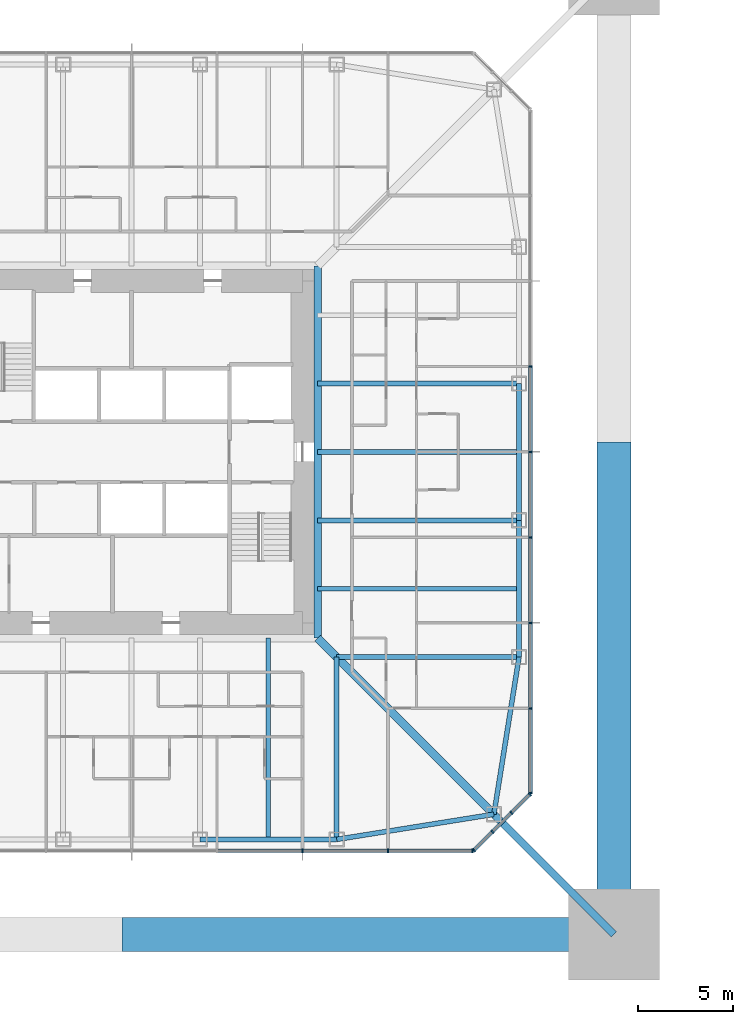
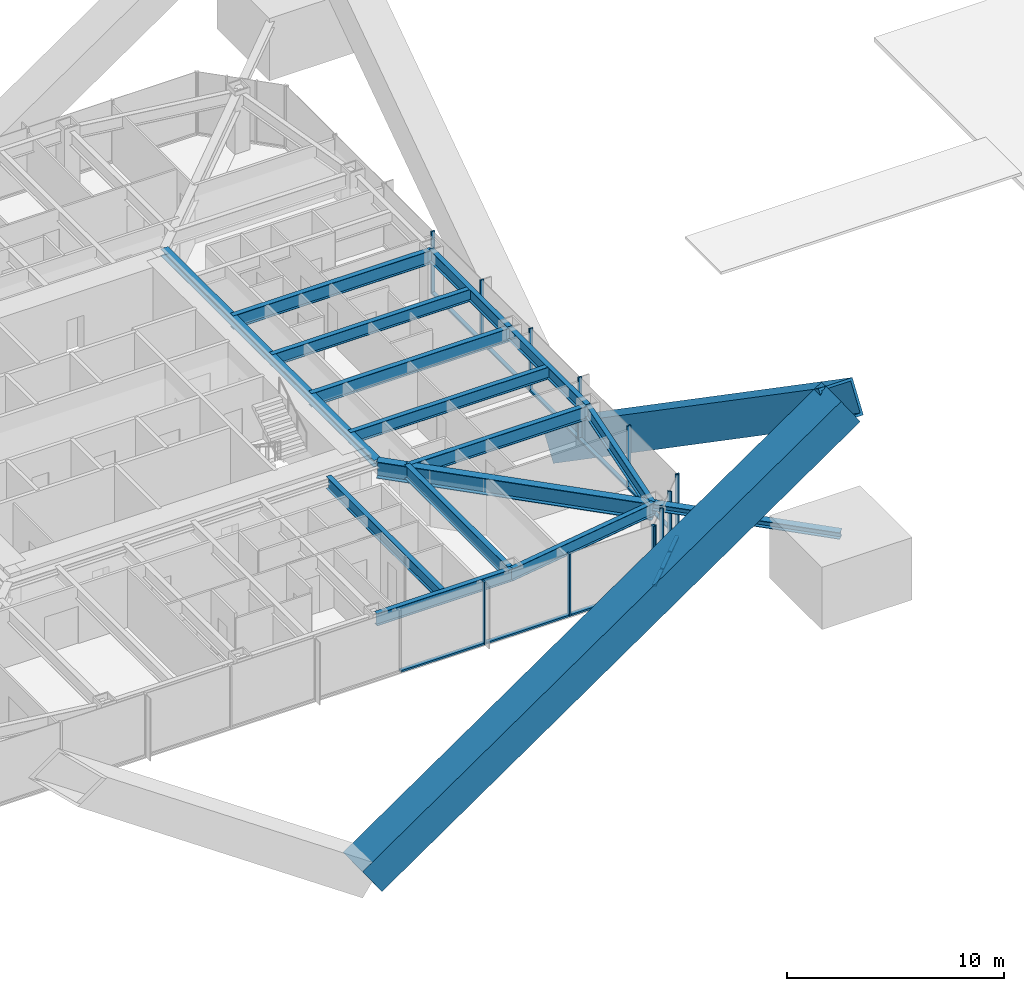
# One storey, part 4 of 17: 27 members, 14 beams, 3 elements without a shape of their own.
"""IFC4 building model written with IfcOpenShell, lengths in metres."""

from ifc_helpers import new_model, si_unit, direction, frame, origin, origin_2d, place, context, subcontext, project, spatial, rectangle, hollow_rectangle, i_section, extrude, material, material_profile, profile_set, type_object, element, aggregate, save


model = new_model("IFC4")

# Units and contexts
model_context = context("Model", 3, precision=1e-05, world=origin(), true_north=direction((0.0, 1.0)))
body_context = subcontext(model_context, "Body", "Model", "MODEL_VIEW")
ifc_project = project(units=[si_unit("LENGTHUNIT", "METRE"), si_unit("AREAUNIT", "SQUARE_METRE"), si_unit("VOLUMEUNIT", "CUBIC_METRE"), si_unit("PLANEANGLEUNIT", "RADIAN"), si_unit("MASSUNIT", "GRAM", prefix="KILO")], contexts=[model_context])

# Site, building, storey
site_placement = place(None, origin())
site = spatial("IfcSite", under=ifc_project, at=site_placement, CompositionType="ELEMENT")
building_placement = place(site_placement, origin())
building = spatial("IfcBuilding", under=site, at=building_placement, Name="Iwan Alto Co-Living Towers", CompositionType="ELEMENT")
storey_placement = place(building_placement, frame((0.0, 0.0, 133.0)))
storey = spatial("IfcBuildingStorey", under=building, at=storey_placement, Name="L36", CompositionType="ELEMENT", Elevation=133.0)

# Curtain wall, members
ifc_material_1 = material(Name="Bronze aluminium unitised frame", Category="aluminium")
curtain_wall_type_1 = type_object("IfcCurtainWallType", Name="CURTAIN WALL CW-A", PredefinedType="NOTDEFINED", material=ifc_material_1)
curtain_wall_1_placement = place(storey_placement, origin())
curtain_wall_1 = element("IfcCurtainWall", 1, at=curtain_wall_1_placement, inside=storey, type_object=curtain_wall_type_1, Name="T1 curtain wall S L36", PredefinedType="NOTDEFINED")
ifc_material_2 = material(Name="Aluminium 6063-T6 bronze anodised", Category="aluminium")
ifc_material_profile_1 = material_profile(ifc_material_2, rectangle(XDim=0.199951171875, YDim=0.080078125, at=origin_2d()), Name="AL 80X200")
ifc_profile_set_1 = profile_set([ifc_material_profile_1], Name="Aluminium 6063-T6 bronze anodised")
member_type_1 = type_object("IfcMemberType", Name="CW-A MULLION 80X200", PredefinedType="MULLION", material=ifc_profile_set_1)
member_1_placement = place(storey_placement, frame((9.0, -21.0, 0.0), z_axis=(0.0, 0.0, 1.0), x_axis=(0.0, 1.0, 0.0)))
member_1 = element("IfcMember", 2, at=member_1_placement, type_object=member_type_1, Name="CW-A mullion 7", PredefinedType="MULLION", context=body_context, shape_type="SweptSolid", body=[
    extrude(rectangle(XDim=0.199951171875, YDim=0.080078125, at=origin_2d()), origin(), (0.0, 0.0, 1.0), 3.5),
])
member_2_placement = place(storey_placement, frame((13.5, -21.0, 0.0), z_axis=(0.0, 0.0, 1.0), x_axis=(0.0, 1.0, 0.0)))
member_2 = element("IfcMember", 3, at=member_2_placement, type_object=member_type_1, Name="CW-A mullion 8", PredefinedType="MULLION", context=body_context, shape_type="SweptSolid", body=[
    extrude(rectangle(XDim=0.199951171875, YDim=0.080078125, at=origin_2d()), origin(), (0.0, 0.0, 1.0), 3.5),
])
member_3_placement = place(storey_placement, frame((17.9599609375, -21.0, 0.0), z_axis=(0.0, 0.0, 1.0), x_axis=(0.0, 1.0, 0.0)))
member_3 = element("IfcMember", 4, at=member_3_placement, type_object=member_type_1, Name="CW-A mullion 9", PredefinedType="MULLION", context=body_context, shape_type="SweptSolid", body=[
    extrude(rectangle(XDim=0.199951171875, YDim=0.080078125, at=origin_2d()), origin(), (0.0, 0.0, 1.0), 3.5),
])

curtain_wall_2_placement = place(storey_placement, origin())
curtain_wall_2 = element("IfcCurtainWall", 5, at=curtain_wall_2_placement, inside=storey, type_object=curtain_wall_type_1, Name="T1 curtain wall E L36", PredefinedType="NOTDEFINED")
member_4_placement = place(storey_placement, frame((21.0, -17.9599609375, 0.0), z_axis=(0.0, 0.0, 1.0), x_axis=(-1.0, 0.0, 0.0)))
member_4 = element("IfcMember", 6, at=member_4_placement, type_object=member_type_1, Name="CW-A mullion 1", PredefinedType="MULLION", context=body_context, shape_type="SweptSolid", body=[
    extrude(rectangle(XDim=0.199951171875, YDim=0.080078125, at=origin_2d()), origin(), (0.0, 0.0, 1.0), 3.5),
])
member_5_placement = place(storey_placement, frame((21.0, -13.5, 0.0), z_axis=(0.0, 0.0, 1.0), x_axis=(-1.0, 0.0, 0.0)))
member_5 = element("IfcMember", 7, at=member_5_placement, type_object=member_type_1, Name="CW-A mullion 2", PredefinedType="MULLION", context=body_context, shape_type="SweptSolid", body=[
    extrude(rectangle(XDim=0.199951171875, YDim=0.080078125, at=origin_2d()), origin(), (0.0, 0.0, 1.0), 3.5),
])
member_6_placement = place(storey_placement, frame((21.0, -9.0, 0.0), z_axis=(0.0, 0.0, 1.0), x_axis=(-1.0, 0.0, 0.0)))
member_6 = element("IfcMember", 8, at=member_6_placement, type_object=member_type_1, Name="CW-A mullion 3", PredefinedType="MULLION", context=body_context, shape_type="SweptSolid", body=[
    extrude(rectangle(XDim=0.199951171875, YDim=0.080078125, at=origin_2d()), origin(), (0.0, 0.0, 1.0), 3.5),
])
member_7_placement = place(storey_placement, frame((21.0, -4.5, 0.0), z_axis=(0.0, 0.0, 1.0), x_axis=(-1.0, 0.0, 0.0)))
member_7 = element("IfcMember", 9, at=member_7_placement, type_object=member_type_1, Name="CW-A mullion 4", PredefinedType="MULLION", context=body_context, shape_type="SweptSolid", body=[
    extrude(rectangle(XDim=0.199951171875, YDim=0.080078125, at=origin_2d()), origin(), (0.0, 0.0, 1.0), 3.5),
])
member_8_placement = place(storey_placement, frame((21.0, 0.0, 0.0), z_axis=(0.0, 0.0, 1.0), x_axis=(-1.0, 0.0, 0.0)))
member_8 = element("IfcMember", 10, at=member_8_placement, type_object=member_type_1, Name="CW-A mullion 5", PredefinedType="MULLION", context=body_context, shape_type="SweptSolid", body=[
    extrude(rectangle(XDim=0.199951171875, YDim=0.080078125, at=origin_2d()), origin(), (0.0, 0.0, 1.0), 3.5),
])
member_9_placement = place(storey_placement, frame((21.0, 4.5, 0.0), z_axis=(0.0, 0.0, 1.0), x_axis=(-1.0, 0.0, 0.0)))
member_9 = element("IfcMember", 11, at=member_9_placement, type_object=member_type_1, Name="CW-A mullion 6", PredefinedType="MULLION", context=body_context, shape_type="SweptSolid", body=[
    extrude(rectangle(XDim=0.199951171875, YDim=0.080078125, at=origin_2d()), origin(), (0.0, 0.0, 1.0), 3.5),
])

# Member
ifc_material_3 = material(Name="Aluminium 6063-T6 bronze anodised", Category="aluminium")
ifc_material_profile_2 = material_profile(ifc_material_3, rectangle(XDim=0.199951171875, YDim=0.10009765625, at=origin_2d()), Name="AL 200X100")
ifc_profile_set_2 = profile_set([ifc_material_profile_2], Name="Aluminium 6063-T6 bronze anodised")
member_type_2 = type_object("IfcMemberType", Name="CW-A TRANSOM 200X100", PredefinedType="USERDEFINED", material=ifc_profile_set_2)
member_10_placement = place(storey_placement, frame((4.5400390625, -21.0, 0.050048828125), z_axis=(1.0, 0.0, 0.0), x_axis=(0.0, 1.0, 0.0)))
member_10 = element("IfcMember", 12, at=member_10_placement, type_object=member_type_2, Name="CW-A transom 6.1", ObjectType="TRANSOM", PredefinedType="USERDEFINED", context=body_context, shape_type="SweptSolid", body=[
    extrude(rectangle(XDim=0.199951171875, YDim=0.10009765625, at=origin_2d()), origin(), (0.0, 0.0, 1.0), 4.419921875),
])

member_11_placement = place(storey_placement, frame((9.0400390625, -21.0, 0.050048828125), z_axis=(1.0, 0.0, 0.0), x_axis=(0.0, 1.0, 0.0)))
member_11 = element("IfcMember", 13, at=member_11_placement, type_object=member_type_2, Name="CW-A transom 7.1", ObjectType="TRANSOM", PredefinedType="USERDEFINED", context=body_context, shape_type="SweptSolid", body=[
    extrude(rectangle(XDim=0.199951171875, YDim=0.10009765625, at=origin_2d()), origin(), (0.0, 0.0, 1.0), 4.419921875),
])

member_12_placement = place(storey_placement, frame((13.5400390625, -21.0, 0.050048828125), z_axis=(1.0, 0.0, 0.0), x_axis=(0.0, 1.0, 0.0)))
member_12 = element("IfcMember", 14, at=member_12_placement, type_object=member_type_2, Name="CW-A transom 8.1", ObjectType="TRANSOM", PredefinedType="USERDEFINED", context=body_context, shape_type="SweptSolid", body=[
    extrude(rectangle(XDim=0.199951171875, YDim=0.10009765625, at=origin_2d()), origin(), (0.0, 0.0, 1.0), 4.3798828125),
])

aggregate(curtain_wall_1, [member_1, member_2, member_3, member_10, member_11, member_12])

member_13_placement = place(storey_placement, frame((21.0, -17.919921875, 0.050048828125), z_axis=(0.0, 1.0, 0.0), x_axis=(-1.0, 0.0, 0.0)))
member_13 = element("IfcMember", 15, at=member_13_placement, type_object=member_type_2, Name="CW-A transom 1.1", ObjectType="TRANSOM", PredefinedType="USERDEFINED", context=body_context, shape_type="SweptSolid", body=[
    extrude(rectangle(XDim=0.199951171875, YDim=0.10009765625, at=origin_2d()), origin(), (0.0, 0.0, 1.0), 4.3798828125),
])

member_14_placement = place(storey_placement, frame((21.0, -13.4599609375, 0.050048828125), z_axis=(0.0, 1.0, 0.0), x_axis=(-1.0, 0.0, 0.0)))
member_14 = element("IfcMember", 16, at=member_14_placement, type_object=member_type_2, Name="CW-A transom 2.1", ObjectType="TRANSOM", PredefinedType="USERDEFINED", context=body_context, shape_type="SweptSolid", body=[
    extrude(rectangle(XDim=0.199951171875, YDim=0.10009765625, at=origin_2d()), origin(), (0.0, 0.0, 1.0), 4.419921875),
])

member_15_placement = place(storey_placement, frame((21.0, -8.9599609375, 0.050048828125), z_axis=(0.0, 1.0, 0.0), x_axis=(-1.0, 0.0, 0.0)))
member_15 = element("IfcMember", 17, at=member_15_placement, type_object=member_type_2, Name="CW-A transom 3.1", ObjectType="TRANSOM", PredefinedType="USERDEFINED", context=body_context, shape_type="SweptSolid", body=[
    extrude(rectangle(XDim=0.199951171875, YDim=0.10009765625, at=origin_2d()), origin(), (0.0, 0.0, 1.0), 4.419921875),
])

member_16_placement = place(storey_placement, frame((21.0, -4.4599609375, 0.050048828125), z_axis=(0.0, 1.0, 0.0), x_axis=(-1.0, 0.0, 0.0)))
member_16 = element("IfcMember", 18, at=member_16_placement, type_object=member_type_2, Name="CW-A transom 4.1", ObjectType="TRANSOM", PredefinedType="USERDEFINED", context=body_context, shape_type="SweptSolid", body=[
    extrude(rectangle(XDim=0.199951171875, YDim=0.10009765625, at=origin_2d()), origin(), (0.0, 0.0, 1.0), 4.419921875),
])

member_17_placement = place(storey_placement, frame((21.0, 0.0400390625, 0.050048828125), z_axis=(0.0, 1.0, 0.0), x_axis=(-1.0, 0.0, 0.0)))
member_17 = element("IfcMember", 19, at=member_17_placement, type_object=member_type_2, Name="CW-A transom 5.1", ObjectType="TRANSOM", PredefinedType="USERDEFINED", context=body_context, shape_type="SweptSolid", body=[
    extrude(rectangle(XDim=0.199951171875, YDim=0.10009765625, at=origin_2d()), origin(), (0.0, 0.0, 1.0), 4.419921875),
])

aggregate(curtain_wall_2, [member_4, member_5, member_6, member_7, member_8, member_9, member_13, member_14, member_15, member_16, member_17])

# Curtain wall, members
ifc_material_4 = material(Name="Bronze aluminium unitised frame", Category="aluminium")
curtain_wall_type_2 = type_object("IfcCurtainWallType", Name="CURTAIN WALL CW-B", PredefinedType="NOTDEFINED", material=ifc_material_4)
curtain_wall_3_placement = place(storey_placement, origin())
curtain_wall_3 = element("IfcCurtainWall", 20, at=curtain_wall_3_placement, inside=storey, type_object=curtain_wall_type_2, Name="T1 chamfer curtain wall SE L36", PredefinedType="NOTDEFINED")
ifc_material_5 = material(Name="Aluminium 6063-T6 bronze anodised", Category="aluminium")
ifc_material_profile_3 = material_profile(ifc_material_5, rectangle(XDim=0.199951171875, YDim=0.080078125, at=origin_2d()), Name="AL 80X200")
ifc_profile_set_3 = profile_set([ifc_material_profile_3], Name="Aluminium 6063-T6 bronze anodised")
member_type_3 = type_object("IfcMemberType", Name="CW-B MULLION 80X200", PredefinedType="MULLION", material=ifc_profile_set_3)
member_18_placement = place(storey_placement, frame((18.0283203125, -20.9716796875, 0.0), z_axis=(0.0, 0.0, 1.0), x_axis=(-0.707106781187, 0.707106781187, 0.0)))
member_18 = element("IfcMember", 21, at=member_18_placement, type_object=member_type_3, Name="CW-B mullion 1", PredefinedType="MULLION", context=body_context, shape_type="SweptSolid", body=[
    extrude(rectangle(XDim=0.199951171875, YDim=0.080078125, at=origin_2d()), origin(), (0.0, 0.0, 1.0), 3.5),
])
member_19_placement = place(storey_placement, frame((19.0, -20.0, 0.0), z_axis=(0.0, 0.0, 1.0), x_axis=(-0.707106781187, 0.707106781187, 0.0)))
member_19 = element("IfcMember", 22, at=member_19_placement, type_object=member_type_3, Name="CW-B mullion 2", PredefinedType="MULLION", context=body_context, shape_type="SweptSolid", body=[
    extrude(rectangle(XDim=0.199951171875, YDim=0.080078125, at=origin_2d()), origin(), (0.0, 0.0, 1.0), 3.5),
])
member_20_placement = place(storey_placement, frame((20.0, -19.0, 0.0), z_axis=(0.0, 0.0, 1.0), x_axis=(-0.707106781187, 0.707106781187, 0.0)))
member_20 = element("IfcMember", 23, at=member_20_placement, type_object=member_type_3, Name="CW-B mullion 3", PredefinedType="MULLION", context=body_context, shape_type="SweptSolid", body=[
    extrude(rectangle(XDim=0.199951171875, YDim=0.080078125, at=origin_2d()), origin(), (0.0, 0.0, 1.0), 3.5),
])
member_21_placement = place(storey_placement, frame((20.9716796875, -18.0283203125, 0.0), z_axis=(0.0, 0.0, 1.0), x_axis=(-0.707106781187, 0.707106781187, 0.0)))
member_21 = element("IfcMember", 24, at=member_21_placement, type_object=member_type_3, Name="CW-B mullion 4", PredefinedType="MULLION", context=body_context, shape_type="SweptSolid", body=[
    extrude(rectangle(XDim=0.199951171875, YDim=0.080078125, at=origin_2d()), origin(), (0.0, 0.0, 1.0), 3.5),
])
ifc_material_6 = material(Name="Aluminium 6063-T6 bronze anodised", Category="aluminium")
ifc_material_profile_4 = material_profile(ifc_material_6, rectangle(XDim=0.199951171875, YDim=0.10009765625, at=origin_2d()), Name="AL 200X100")
ifc_profile_set_4 = profile_set([ifc_material_profile_4], Name="Aluminium 6063-T6 bronze anodised")
member_type_4 = type_object("IfcMemberType", Name="CW-B TRANSOM 200X100", PredefinedType="USERDEFINED", material=ifc_profile_set_4)
member_22_placement = place(storey_placement, frame((18.056640625, -20.943359375, 0.050048828125), z_axis=(0.707106781187, 0.707106781187, 0.0), x_axis=(-0.707106781187, 0.707106781187, 0.0)))
member_22 = element("IfcMember", 25, at=member_22_placement, type_object=member_type_4, Name="CW-B transom 1.1", ObjectType="TRANSOM", PredefinedType="USERDEFINED", context=body_context, shape_type="SweptSolid", body=[
    extrude(rectangle(XDim=0.199951171875, YDim=0.10009765625, at=origin_2d()), origin(), (0.0, 0.0, 1.0), 1.2939453125),
])
member_23_placement = place(storey_placement, frame((19.0283203125, -19.9716796875, 0.050048828125), z_axis=(0.707106781187, 0.707106781187, 0.0), x_axis=(-0.707106781187, 0.707106781187, 0.0)))
member_23 = element("IfcMember", 26, at=member_23_placement, type_object=member_type_4, Name="CW-B transom 2.1", ObjectType="TRANSOM", PredefinedType="USERDEFINED", context=body_context, shape_type="SweptSolid", body=[
    extrude(rectangle(XDim=0.199951171875, YDim=0.10009765625, at=origin_2d()), origin(), (0.0, 0.0, 1.0), 1.334228515625),
])
member_24_placement = place(storey_placement, frame((20.0283203125, -18.9716796875, 0.050048828125), z_axis=(0.707106781187, 0.707106781187, 0.0), x_axis=(-0.707106781187, 0.707106781187, 0.0)))
member_24 = element("IfcMember", 27, at=member_24_placement, type_object=member_type_4, Name="CW-B transom 3.1", ObjectType="TRANSOM", PredefinedType="USERDEFINED", context=body_context, shape_type="SweptSolid", body=[
    extrude(rectangle(XDim=0.199951171875, YDim=0.10009765625, at=origin_2d()), origin(), (0.0, 0.0, 1.0), 1.2939453125),
])
aggregate(curtain_wall_3, [member_18, member_19, member_20, member_21, member_22, member_23, member_24])

# Beams
ifc_material_7 = material(Name="Steel ASTM A992 Gr 50", Category="steel")
ifc_material_profile_5 = material_profile(ifc_material_7, i_section(OverallWidth=0.398681640625, OverallDepth=0.385986328125, WebThickness=0.02099609375, FlangeThickness=0.033203125, at=origin_2d()), Name="W14X176")
ifc_profile_set_5 = profile_set([ifc_material_profile_5], Name="Steel ASTM A992 Gr 50")
beam_type_1 = type_object("IfcBeamType", Name="T1 CORE LEDGER BEAM W14X176", PredefinedType="BEAM", material=ifc_profile_set_5)
beam_1_placement = place(storey_placement, frame((9.79931640625, -9.79931640625, 3.076904296875), z_axis=(0.0, 1.0, 0.0), x_axis=(-1.0, 0.0, 0.0)))
element("IfcBeam", 28, at=beam_1_placement, inside=storey, type_object=beam_type_1, Name="T1 core ledger beam E L37", PredefinedType="BEAM", context=body_context, shape_type="SweptSolid", body=[
    extrude(i_section(OverallWidth=0.398681640625, OverallDepth=0.385986328125, WebThickness=0.02099609375, FlangeThickness=0.033203125, at=origin_2d()), origin(), (0.0, 0.0, 1.0), 19.5986328125),
])
ifc_material_8 = material(Name="Steel ASTM A992 Gr 50", Category="steel")
ifc_material_profile_6 = material_profile(ifc_material_8, i_section(OverallWidth=0.419189453125, OverallDepth=0.927001953125, WebThickness=0.019287109375, FlangeThickness=0.031982421875, at=origin_2d()), Name="W36X231")
ifc_profile_set_6 = profile_set([ifc_material_profile_6], Name="Steel ASTM A992 Gr 50")
beam_type_2 = type_object("IfcBeamType", Name="T1 CORNER GIRDER W36X231", PredefinedType="BEAM", material=ifc_profile_set_6)
beam_2_placement = place(storey_placement, frame((19.07568359375, -19.07568359375, 2.806396484375), z_axis=(-0.707106781187, 0.707106781187, 0.0), x_axis=(-0.707106781187, -0.707106781187, 0.0)))
element("IfcBeam", 29, at=beam_2_placement, inside=storey, type_object=beam_type_2, Name="T1 corner girder CSE L37", PredefinedType="BEAM", context=body_context, shape_type="SweptSolid", body=[
    extrude(i_section(OverallWidth=0.419189453125, OverallDepth=0.927001953125, WebThickness=0.019287109375, FlangeThickness=0.031982421875, at=origin_2d()), origin(), (0.0, 0.0, 1.0), 13.11865234375),
])
ifc_material_9 = material(Name="Steel ASTM A992 Gr 50", Category="steel")
ifc_material_profile_7 = material_profile(ifc_material_9, i_section(OverallWidth=0.25390625, OverallDepth=0.683349609375, WebThickness=0.012451171875, FlangeThickness=0.018798828125, at=origin_2d()), Name="W27X94")
ifc_profile_set_7 = profile_set([ifc_material_profile_7], Name="Steel ASTM A992 Gr 50")
beam_type_3 = type_object("IfcBeamType", Name="T1 EDGE BEAM W27X94", PredefinedType="BEAM", material=ifc_profile_set_7)
beam_3_placement = place(storey_placement, frame((3.60009765625, -20.39990234375, 2.928466796875), z_axis=(1.0, 0.0, 0.0), x_axis=(0.0, 1.0, 0.0)))
element("IfcBeam", 30, at=beam_3_placement, inside=storey, type_object=beam_type_3, Name="T1 edge beam S3 L37", PredefinedType="BEAM", context=body_context, shape_type="SweptSolid", body=[
    extrude(i_section(OverallWidth=0.25390625, OverallDepth=0.683349609375, WebThickness=0.012451171875, FlangeThickness=0.018798828125, at=origin_2d()), origin(), (0.0, 0.0, 1.0), 7.199951171875),
])
for number, where, z_axis, x_axis, name in (
    (31, (10.800048828125, -20.39990234375, 2.928466796875), (0.987438450439, 0.158004134737, 0.0), (-0.158004134737, 0.987438450439, 0.0), "T1 edge beam S4 L37"),
    (32, (19.07568359375, -19.07568359375, 2.928466796875), (0.158004134737, 0.987438450439, 0.0), (-0.987438450439, 0.158004134737, 0.0), "T1 edge beam CSE L37"),
):
    element("IfcBeam", number, at=place(storey_placement, frame(where, z_axis=z_axis, x_axis=x_axis)), inside=storey, type_object=beam_type_3, Name=name, PredefinedType="BEAM", context=body_context, shape_type="SweptSolid", body=[
        extrude(i_section(OverallWidth=0.25390625, OverallDepth=0.683349609375, WebThickness=0.012451171875, FlangeThickness=0.018798828125, at=origin_2d()), origin(), (0.0, 0.0, 1.0), 8.380859375),
    ])
beam_4_placement = place(storey_placement, frame((20.39990234375, -10.800048828125, 2.928466796875), z_axis=(0.0, 1.0, 0.0), x_axis=(-1.0, 0.0, 0.0)))
element("IfcBeam", 33, at=beam_4_placement, inside=storey, type_object=beam_type_3, Name="T1 edge beam E1 L37", PredefinedType="BEAM", context=body_context, shape_type="SweptSolid", body=[
    extrude(i_section(OverallWidth=0.25390625, OverallDepth=0.683349609375, WebThickness=0.012451171875, FlangeThickness=0.018798828125, at=origin_2d()), origin(), (0.0, 0.0, 1.0), 7.199951171875),
])
beam_5_placement = place(storey_placement, frame((20.39990234375, -3.60009765625, 2.928466796875), z_axis=(0.0, 1.0, 0.0), x_axis=(-1.0, 0.0, 0.0)))
element("IfcBeam", 34, at=beam_5_placement, inside=storey, type_object=beam_type_3, Name="T1 edge beam E2 L37", PredefinedType="BEAM", context=body_context, shape_type="SweptSolid", body=[
    extrude(i_section(OverallWidth=0.25390625, OverallDepth=0.683349609375, WebThickness=0.012451171875, FlangeThickness=0.018798828125, at=origin_2d()), origin(), (0.0, 0.0, 1.0), 7.2001953125),
])

# Members
ifc_material_10 = material(Name="Steel ASTM A572 Gr 42", Category="steel")
ifc_material_profile_8 = material_profile(ifc_material_10, hollow_rectangle(XDim=1.800048828125, YDim=1.800048828125, WallThickness=0.1298828125, at=origin_2d()), Name="BOX 1800X1800X130")
ifc_profile_set_8 = profile_set([ifc_material_profile_8], Name="Steel ASTM A572 Gr 42")
member_type_5 = type_object("IfcMemberType", Name="T1 MEGA BRACE BOX 1800X1800X130", PredefinedType="BRACE", material=ifc_profile_set_8)
for number, where, z_axis, x_axis, name in (
    (35, (0.0, -25.39990234375, -7.0), (0.82347292246, 0.0, 0.56735557279), (0.0, 1.0, 0.0), "T1 mega brace Z2B S 1 upper"),
    (36, (25.39990234375, 0.0, -7.0), (0.0, -0.82347292246, 0.56735557279), (1.0, 0.0, 0.0), "T1 mega brace Z2B E 2 upper"),
):
    element("IfcMember", number, at=place(storey_placement, frame(where, z_axis=z_axis, x_axis=x_axis)), inside=storey, type_object=member_type_5, Name=name, PredefinedType="BRACE", context=body_context, shape_type="SweptSolid", body=[
        extrude(hollow_rectangle(XDim=1.800048828125, YDim=1.800048828125, WallThickness=0.1298828125, at=origin_2d()), origin(), (0.0, 0.0, 1.0), 30.844970703125),
    ])
ifc_material_11 = material(Name="Steel ASTM A992 Gr 50", Category="steel")
ifc_material_profile_9 = material_profile(ifc_material_11, i_section(OverallWidth=0.393798828125, OverallDepth=0.3759765625, WebThickness=0.017333984375, FlangeThickness=0.027587890625, at=origin_2d()), Name="W14X145")
ifc_profile_set_9 = profile_set([ifc_material_profile_9], Name="Steel ASTM A992 Gr 50")
member_type_6 = type_object("IfcMemberType", Name="T1 MEGA COLUMN FLOOR TIE W14X145", PredefinedType="STRUT", material=ifc_profile_set_9)
member_25_placement = place(storey_placement, frame((25.39990234375, -25.39990234375, 3.08203125), z_axis=(-0.707106781187, 0.707106781187, 0.0), x_axis=(-0.707106781187, -0.707106781187, 0.0)))
element("IfcMember", 37, at=member_25_placement, inside=storey, type_object=member_type_6, Name="T1 mega column floor tie SE L37", PredefinedType="STRUT", context=body_context, shape_type="SweptSolid", body=[
    extrude(i_section(OverallWidth=0.393798828125, OverallDepth=0.3759765625, WebThickness=0.017333984375, FlangeThickness=0.027587890625, at=origin_2d()), origin(), (0.0, 0.0, 1.0), 8.94384765625),
])

# Beams
ifc_material_12 = material(Name="Steel ASTM A992 Gr 50", Category="steel")
ifc_material_profile_10 = material_profile(ifc_material_12, i_section(OverallWidth=0.2666015625, OverallDepth=0.761962890625, WebThickness=0.014404296875, FlangeThickness=0.021484375, at=origin_2d()), Name="W30X116")
ifc_profile_set_10 = profile_set([ifc_material_profile_10], Name="Steel ASTM A992 Gr 50")
beam_type_4 = type_object("IfcBeamType", Name="T1 RADIAL BEAM W30X116", PredefinedType="BEAM", material=ifc_profile_set_10)
for number, where, z_axis, x_axis, name in (
    (38, (10.800048828125, -20.39990234375, 2.888916015625), (0.0, 1.0, 0.0), (-1.0, 0.0, 0.0), "T1 radial beam S4 L37"),
    (39, (20.39990234375, -10.800048828125, 2.888916015625), (-1.0, 0.0, 0.0), (0.0, -1.0, 0.0), "T1 radial beam E1 L37"),
):
    element("IfcBeam", number, at=place(storey_placement, frame(where, z_axis=z_axis, x_axis=x_axis)), inside=storey, type_object=beam_type_4, Name=name, PredefinedType="BEAM", context=body_context, shape_type="SweptSolid", body=[
        extrude(i_section(OverallWidth=0.2666015625, OverallDepth=0.761962890625, WebThickness=0.014404296875, FlangeThickness=0.021484375, at=origin_2d()), origin(), (0.0, 0.0, 1.0), 9.599853515625),
    ])
for number, where, z_axis, x_axis, name in (
    (40, (20.39990234375, -3.60009765625, 2.888916015625), (-1.0, 0.0, 0.0), (0.0, -1.0, 0.0), "T1 radial beam E2 L37"),
    (41, (20.39990234375, 3.60009765625, 2.888916015625), (-1.0, 0.0, 0.0), (0.0, -1.0, 0.0), "T1 radial beam E3 L37"),
):
    element("IfcBeam", number, at=place(storey_placement, frame(where, z_axis=z_axis, x_axis=x_axis)), inside=storey, type_object=beam_type_4, Name=name, PredefinedType="BEAM", context=body_context, shape_type="SweptSolid", body=[
        extrude(i_section(OverallWidth=0.2666015625, OverallDepth=0.761962890625, WebThickness=0.014404296875, FlangeThickness=0.021484375, at=origin_2d()), origin(), (0.0, 0.0, 1.0), 10.6005859375),
    ])
ifc_material_13 = material(Name="Steel ASTM A992 Gr 50", Category="steel")
ifc_material_profile_11 = material_profile(ifc_material_13, i_section(OverallWidth=0.25390625, OverallDepth=0.683349609375, WebThickness=0.012451171875, FlangeThickness=0.018798828125, at=origin_2d()), Name="W27X94")
ifc_profile_set_11 = profile_set([ifc_material_profile_11], Name="Steel ASTM A992 Gr 50")
beam_type_5 = type_object("IfcBeamType", Name="T1 SECONDARY BEAM W27X94", PredefinedType="JOIST", material=ifc_profile_set_11)
for number, where, z_axis, x_axis, name in (
    (42, (7.199951171875, -20.39990234375, 2.928466796875), (0.0, 1.0, 0.0), (-1.0, 0.0, 0.0), "T1 secondary beam S3 L37"),
    (43, (20.39990234375, -7.199951171875, 2.928466796875), (-1.0, 0.0, 0.0), (0.0, -1.0, 0.0), "T1 secondary beam E1 L37"),
    (44, (20.39990234375, 0.0, 2.928466796875), (-1.0, 0.0, 0.0), (0.0, -1.0, 0.0), "T1 secondary beam E2 L37"),
):
    element("IfcBeam", number, at=place(storey_placement, frame(where, z_axis=z_axis, x_axis=x_axis)), inside=storey, type_object=beam_type_5, Name=name, PredefinedType="JOIST", context=body_context, shape_type="SweptSolid", body=[
        extrude(i_section(OverallWidth=0.25390625, OverallDepth=0.683349609375, WebThickness=0.012451171875, FlangeThickness=0.018798828125, at=origin_2d()), origin(), (0.0, 0.0, 1.0), 10.6005859375),
    ])

save(model, "model.ifc")
